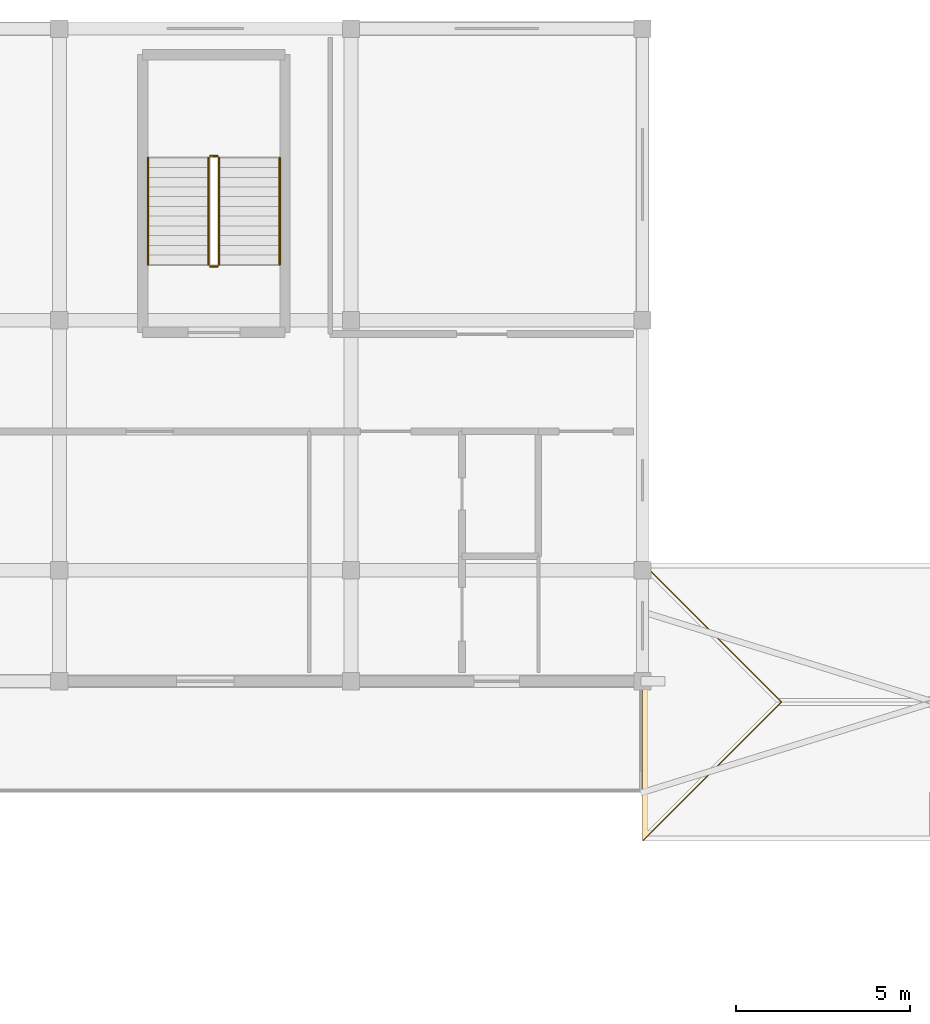
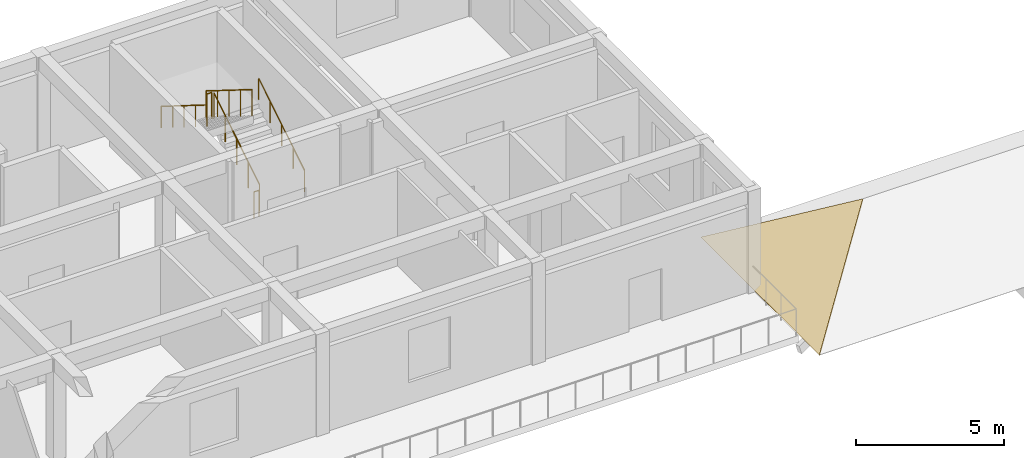
# One storey, part 22 of 26: 6 railings, 1 covering, 1 element without a shape of its own.
"""IFC4 building model written with IfcOpenShell, lengths in metres."""

from ifc_helpers import new_model, si_unit, direction, frame, origin, origin_2d, place, context, subcontext, project, spatial, polyline, circle, outline, extrude, material, layer, layer_set, type_object, element, aggregate, save


model = new_model("IFC4")

# Units and contexts
model_context = context("Model", 3, precision=1e-05, world=origin(), true_north=direction((0.0, 1.0)))
body_context = subcontext(model_context, "Body", "Model", "MODEL_VIEW")
ifc_project = project(units=[si_unit("LENGTHUNIT", "METRE"), si_unit("AREAUNIT", "SQUARE_METRE"), si_unit("VOLUMEUNIT", "CUBIC_METRE"), si_unit("PLANEANGLEUNIT", "RADIAN"), si_unit("MASSUNIT", "GRAM", prefix="KILO")], contexts=[model_context])

# Site, building, storey
site_placement = place(None, origin())
site = spatial("IfcSite", under=ifc_project, at=site_placement, CompositionType="ELEMENT")
building_placement = place(site_placement, origin())
building = spatial("IfcBuilding", under=site, at=building_placement, Name="Varncliffe General Hospital", CompositionType="ELEMENT")
storey_placement = place(building_placement, frame((0.0, 0.0, 28.800048828125)))
storey = spatial("IfcBuildingStorey", under=building, at=storey_placement, Name="L06", CompositionType="ELEMENT", Elevation=28.800048828125)

# Railings
ifc_material_1 = material(Name="Powder-coated hospital steel guardrail and handrail", Category="steel")
railing_type_1 = type_object("IfcRailingType", Name="Stair and Ramp Handrail HR46", PredefinedType="HANDRAIL", material=ifc_material_1)
railing_1_placement = place(storey_placement, frame((56.75, 118.0, 0.35400390625)))
element("IfcRailing", 1, at=railing_1_placement, inside=storey, type_object=railing_type_1, Name="L06 ST02 stair handrail 1", PredefinedType="HANDRAIL", context=body_context, shape_type="SweptSolid", body=[
    extrude(circle(Radius=0.02392578125, at=origin_2d()), frame((0.0, 0.0, 0.8759765625), z_axis=(0.0, 0.847998304005, 0.529998940003), x_axis=(-1.0, 0.0, 0.0)), (0.0, 0.0, 1.0), 3.632080078125),
    extrude(circle(Radius=0.02099609375, at=origin_2d()), origin(), (0.0, 0.0, 1.0), 0.851806640625),
    extrude(circle(Radius=0.02099609375, at=origin_2d()), frame((0.0, 0.77001953125, 0.481201171875)), (0.0, 0.0, 1.0), 0.851806640625),
    extrude(circle(Radius=0.02099609375, at=origin_2d()), frame((0.0, 1.5400390625, 0.96240234375)), (0.0, 0.0, 1.0), 0.851806640625),
    extrude(circle(Radius=0.02099609375, at=origin_2d()), frame((0.0, 2.31005859375, 1.44384765625)), (0.0, 0.0, 1.0), 0.851806640625),
    extrude(circle(Radius=0.02099609375, at=origin_2d()), frame((0.0, 3.080078125, 1.925048828125)), (0.0, 0.0, 1.0), 0.851806640625),
])
railing_2_placement = place(storey_placement, frame((52.949951171875, 121.080078125, 2.453857421875)))
element("IfcRailing", 2, at=railing_2_placement, inside=storey, type_object=railing_type_1, Name="L06 ST02 stair handrail 2", PredefinedType="HANDRAIL", context=body_context, shape_type="SweptSolid", body=[
    extrude(circle(Radius=0.02392578125, at=origin_2d()), frame((0.0, 0.0, 0.8759765625), z_axis=(0.0, -0.847998304005, 0.529998940003), x_axis=(1.0, 0.0, 0.0)), (0.0, 0.0, 1.0), 3.632080078125),
    extrude(circle(Radius=0.02099609375, at=origin_2d()), origin(), (0.0, 0.0, 1.0), 0.851806640625),
    extrude(circle(Radius=0.02099609375, at=origin_2d()), frame((0.0, -0.77001953125, 0.481201171875)), (0.0, 0.0, 1.0), 0.851806640625),
    extrude(circle(Radius=0.02099609375, at=origin_2d()), frame((0.0, -1.5400390625, 0.96240234375)), (0.0, 0.0, 1.0), 0.851806640625),
    extrude(circle(Radius=0.02099609375, at=origin_2d()), frame((0.0, -2.31005859375, 1.44384765625)), (0.0, 0.0, 1.0), 0.851806640625),
    extrude(circle(Radius=0.02099609375, at=origin_2d()), frame((0.0, -3.080078125, 1.925048828125)), (0.0, 0.0, 1.0), 0.851806640625),
])
railing_type_2 = type_object("IfcRailingType", Name="Stairwell Guardrail SG49", PredefinedType="GUARDRAIL", material=ifc_material_1)
railing_3_placement = place(storey_placement, frame((55.0, 118.0, 0.175048828125)))
element("IfcRailing", 3, at=railing_3_placement, inside=storey, type_object=railing_type_2, Name="L06 ST02 stair guard 1", PredefinedType="GUARDRAIL", context=body_context, shape_type="SweptSolid", body=[
    extrude(circle(Radius=0.02392578125, at=origin_2d()), frame((0.0, 0.0, 1.076171875), z_axis=(0.0, 0.848028513186, 0.529950602248), x_axis=(-1.0, 0.0, 0.0)), (0.0, 0.0, 1.0), 3.632080078125),
    extrude(circle(Radius=0.02099609375, at=origin_2d()), origin(), (0.0, 0.0, 1.0), 1.052001953125),
    extrude(circle(Radius=0.02099609375, at=origin_2d()), frame((0.0, 0.77001953125, 0.481201171875)), (0.0, 0.0, 1.0), 1.052001953125),
    extrude(circle(Radius=0.02099609375, at=origin_2d()), frame((0.0, 1.5400390625, 0.96240234375)), (0.0, 0.0, 1.0), 1.052001953125),
    extrude(circle(Radius=0.02099609375, at=origin_2d()), frame((0.0, 2.31005859375, 1.443603515625)), (0.0, 0.0, 1.0), 1.052001953125),
    extrude(circle(Radius=0.02099609375, at=origin_2d()), frame((0.0, 3.080078125, 1.9248046875)), (0.0, 0.0, 1.0), 1.052001953125),
])
railing_4_placement = place(storey_placement, frame((54.949951171875, 121.1298828125, 2.099853515625)))
element("IfcRailing", 4, at=railing_4_placement, inside=storey, type_object=railing_type_2, Name="L06 ST02 stair guard 2", PredefinedType="GUARDRAIL", context=body_context, shape_type="SweptSolid", body=[
    extrude(circle(Radius=0.02392578125, at=origin_2d()), frame((0.0, 0.0, 1.076171875), z_axis=(-1.0, 0.0, 0.0), x_axis=(0.0, -1.0, 0.0)), (0.0, 0.0, 1.0), 0.199951171875),
    extrude(circle(Radius=0.02099609375, at=origin_2d()), origin(), (0.0, 0.0, 1.0), 1.052001953125),
    extrude(circle(Radius=0.02099609375, at=origin_2d()), frame((-0.199951171875, 0.0, 0.0)), (0.0, 0.0, 1.0), 1.052001953125),
])
railing_5_placement = place(storey_placement, frame((54.699951171875, 121.080078125, 2.27490234375)))
element("IfcRailing", 5, at=railing_5_placement, inside=storey, type_object=railing_type_2, Name="L06 ST02 stair guard 3", PredefinedType="GUARDRAIL", context=body_context, shape_type="SweptSolid", body=[
    extrude(circle(Radius=0.02392578125, at=origin_2d()), frame((0.0, 0.0, 1.076171875), z_axis=(0.0, -0.847998304005, 0.529998940003), x_axis=(1.0, 0.0, 0.0)), (0.0, 0.0, 1.0), 3.632080078125),
    extrude(circle(Radius=0.02099609375, at=origin_2d()), origin(), (0.0, 0.0, 1.0), 1.052001953125),
    extrude(circle(Radius=0.02099609375, at=origin_2d()), frame((0.0, -0.77001953125, 0.481201171875)), (0.0, 0.0, 1.0), 1.052001953125),
    extrude(circle(Radius=0.02099609375, at=origin_2d()), frame((0.0, -1.5400390625, 0.96240234375)), (0.0, 0.0, 1.0), 1.052001953125),
    extrude(circle(Radius=0.02099609375, at=origin_2d()), frame((0.0, -2.31005859375, 1.44384765625)), (0.0, 0.0, 1.0), 1.052001953125),
    extrude(circle(Radius=0.02099609375, at=origin_2d()), frame((0.0, -3.080078125, 1.925048828125)), (0.0, 0.0, 1.0), 1.052001953125),
])
railing_6_placement = place(storey_placement, frame((54.949951171875, 117.949951171875, 0.0)))
element("IfcRailing", 6, at=railing_6_placement, inside=storey, type_object=railing_type_2, Name="L06 ST02 stair guard 4", PredefinedType="GUARDRAIL", context=body_context, shape_type="SweptSolid", body=[
    extrude(circle(Radius=0.02392578125, at=origin_2d()), frame((0.0, 0.0, 1.076171875), z_axis=(-1.0, 0.0, 0.0), x_axis=(0.0, -1.0, 0.0)), (0.0, 0.0, 1.0), 0.199951171875),
    extrude(circle(Radius=0.02099609375, at=origin_2d()), origin(), (0.0, 0.0, 1.0), 1.052001953125),
    extrude(circle(Radius=0.02099609375, at=origin_2d()), frame((-0.199951171875, 0.0, 0.0)), (0.0, 0.0, 1.0), 1.052001953125),
])

# Roof, covering
ifc_material_2 = material(Name="Terracotta clay roof tile over waterproof membrane", Category="masonry")
roof_type = type_object("IfcRoofType", Name="Hipped Clay-Tile Roof Assembly HR20", PredefinedType="HIP_ROOF", material=ifc_material_2)
roof_placement = place(storey_placement, origin())
roof = element("IfcRoof", 7, at=roof_placement, inside=storey, type_object=roof_type, Name="L06 Hipped Roof RF-V6-LINK", PredefinedType="HIP_ROOF")
ifc_layer = layer(ifc_material_2, 0.044921875)
ifc_layer_set = layer_set([ifc_layer], Name="Terracotta clay roof tile over waterproof membrane")
covering_type = type_object("IfcCoveringType", Name="Terracotta Clay Tile Roofing RFG24", PredefinedType="ROOFING", material=ifc_layer_set)
covering_placement = place(storey_placement, frame((67.199951171875, 109.39990234375, 0.044921875), z_axis=(-0.545002740383, 0.0, 0.838434262763), x_axis=(0.0, -1.0, 0.0)))
covering = element("IfcCovering", 8, at=covering_placement, type_object=covering_type, Name="L06 RF-V6-LINK Terracotta Clay Tile Slope W", PredefinedType="ROOFING", context=body_context, shape_type="SweptSolid", body=[
    extrude(outline(polyline([(0.0, 0.0), (8.0, 0.0), (4.0, 4.770797398971868), (0.0, 0.0)])), origin(), (0.0, 0.0, -1.0), 0.044921875),
])
aggregate(roof, [covering])

save(model, "model.ifc")
